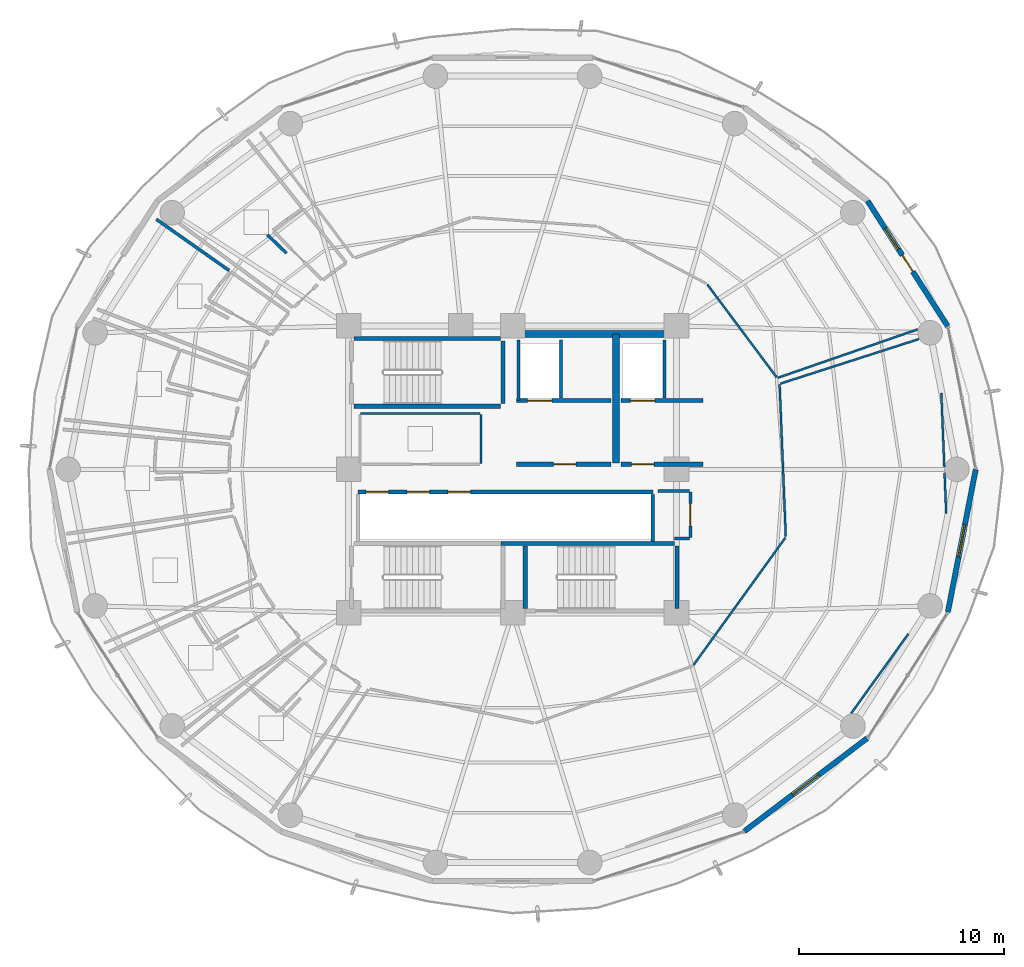
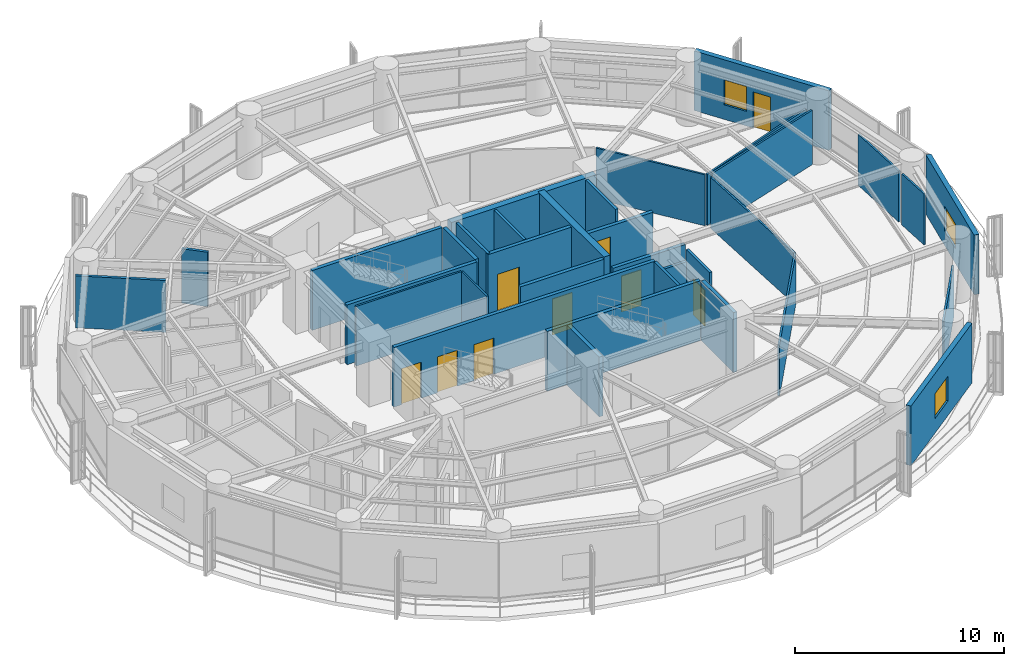
# One storey, part 23 of 27: 35 walls, 9 doors, 3 windows, 12 openings.
"""IFC4 building model written with IfcOpenShell, lengths in metres."""

from ifc_helpers import new_model, si_unit, direction, frame, frame_2d, origin, place, context, subcontext, project, spatial, rectangle, extrude, material, layer, layer_set, type_object, element, fill, save


model = new_model("IFC4")

# Units and contexts
model_context = context("Model", 3, precision=1e-05, world=origin(), true_north=direction((0.0, 1.0)))
body_context = subcontext(model_context, "Body", "Model", "MODEL_VIEW")
ifc_project = project(units=[si_unit("LENGTHUNIT", "METRE"), si_unit("AREAUNIT", "SQUARE_METRE"), si_unit("VOLUMEUNIT", "CUBIC_METRE"), si_unit("PLANEANGLEUNIT", "RADIAN"), si_unit("MASSUNIT", "GRAM", prefix="KILO")], contexts=[model_context])

# Site, building, storey
site_placement = place(None, origin())
site = spatial("IfcSite", under=ifc_project, at=site_placement, CompositionType="ELEMENT")
building_placement = place(site_placement, origin())
building = spatial("IfcBuilding", under=site, at=building_placement, Name="Kelanora Arch Commons", CompositionType="ELEMENT")
storey_placement = place(building_placement, frame((0.0, 0.0, 173.10009765625)))
storey = spatial("IfcBuildingStorey", under=building, at=storey_placement, Name="L44", CompositionType="ELEMENT", Elevation=173.10009765625)

# Walls
ifc_material_1 = material(Name="Autoclaved aerated concrete blockwork with fire plaster", Category="masonry")
ifc_layer_1 = layer(ifc_material_1, 0.14990234375)
ifc_layer_set_1 = layer_set([ifc_layer_1], Name="Autoclaved aerated concrete blockwork with fire plaster")
wall_type_1 = type_object("IfcWallType", Name="W-COMP-150", PredefinedType="PARTITIONING", material=ifc_layer_set_1)
wall_1_placement = place(storey_placement, frame((74.280029296875, 61.35009765625, 0.0), z_axis=(0.0, 0.0, 1.0), x_axis=(0.0, 1.0, 0.0)))
element("IfcWall", 1, at=wall_1_placement, inside=storey, type_object=wall_type_1, Name="Firefighting Lift 1 West Shaft Wall L44", PredefinedType="PARTITIONING", context=body_context, shape_type="SweptSolid", body=[
    extrude(rectangle(XDim=2.969970703125, YDim=0.14990234375, at=frame_2d((1.48486328125, 0.0))), origin(), (0.0, 0.0, 1.0), 3.47998046875),
])
for number, where, z_axis, x_axis, name in (
    (2, (76.360107421875, 61.47998046875, 0.0), (0.0, 0.0, 1.0), (0.0, 1.0, 0.0), "Firefighting Lift 1 East Shaft Wall L44"),
    (3, (81.419921875, 61.47998046875, 0.0), (0.0, 0.0, 1.0), (0.0, 1.0, 0.0), "Firefighting Lift 2 East Shaft Wall L44"),
):
    element("IfcWall", number, at=place(storey_placement, frame(where, z_axis=z_axis, x_axis=x_axis)), inside=storey, type_object=wall_type_1, Name=name, PredefinedType="PARTITIONING", context=body_context, shape_type="SweptSolid", body=[
        extrude(rectangle(XDim=2.840087890625, YDim=0.14990234375, at=frame_2d((1.419921875, 0.0))), origin(), (0.0, 0.0, 1.0), 3.47998046875),
    ])
wall_2_placement = place(storey_placement, frame((80.840087890625, 54.47998046875, 0.0), z_axis=(0.0, 0.0, 1.0), x_axis=(0.0, 1.0, 0.0)))
element("IfcWall", 4, at=wall_2_placement, inside=storey, type_object=wall_type_1, Name="South Lift Bank East Wall L44", PredefinedType="PARTITIONING", context=body_context, shape_type="SweptSolid", body=[
    extrude(rectangle(XDim=2.2900390625, YDim=0.14990234375, at=frame_2d((1.14501953125, 0.0))), origin(), (0.0, 0.0, 1.0), 3.47998046875),
])

# Wall, opening, door
wall_3_placement = place(storey_placement, frame((82.679931640625, 54.679931640625, 0.0), z_axis=(0.0, 0.0, 1.0), x_axis=(0.0, 1.0, 0.0)))
wall_3 = element("IfcWall", 5, at=wall_3_placement, inside=storey, type_object=wall_type_1, Name="Core Housekeeping Store L44 Entry Partition", PredefinedType="PARTITIONING", context=body_context, shape_type="SweptSolid", body=[
    extrude(rectangle(XDim=2.2099609375, YDim=0.14990234375, at=frame_2d((1.10498046875, 0.0))), origin(), (0.0, 0.0, 1.0), 3.47998046875),
])
opening_1_placement = place(wall_3_placement, frame((0.56494140625, 0.0, 0.0)))
opening_1 = element("IfcOpeningElement", 6, at=opening_1_placement, cuts=wall_3, Name="Opening D-PLT1", PredefinedType="OPENING", context=body_context, shape_type="SweptSolid", body=[
    extrude(rectangle(XDim=1.080078125, YDim=2.10009765625, at=frame_2d((0.5400390625, 1.050048828125))), frame((0.0, 0.0849609375, 0.0), z_axis=(0.0, -1.0, 0.0), x_axis=(1.0, 0.0, 0.0)), (0.0, 0.0, 1.0), 0.169921875),
])
ifc_material_2 = material(Name="Galvanised steel plant and riser fire door", Category="steel")
door_type_1 = type_object("IfcDoorType", Name="D-PLT-110", OperationType="NOTDEFINED", PredefinedType="DOOR", material=ifc_material_2)
door_1_placement = place(opening_1_placement, origin())
door_1 = element("IfcDoor", 7, at=door_1_placement, inside=storey, type_object=door_type_1, Name="Core Housekeeping Store L44 Door", OperationType="SINGLE_SWING_RIGHT", OverallHeight=2.10009765625, OverallWidth=1.080078125, PredefinedType="DOOR", context=body_context, shape_type="SweptSolid", body=[
    extrude(rectangle(XDim=1.080078125, YDim=2.10009765625, at=frame_2d((0.5400390625, 1.050048828125))), frame((0.0, 0.02490234375, 0.0), z_axis=(0.0, -1.0, 0.0), x_axis=(1.0, 0.0, 0.0)), (0.0, 0.0, 1.0), 0.050048828125),
])
fill(opening_1, door_1)

# Walls
wall_4_placement = place(storey_placement, frame((81.89990234375, 54.6201171875, 0.0), z_axis=(0.0, 0.0, 1.0), x_axis=(1.0, 0.0, 0.0)))
element("IfcWall", 8, at=wall_4_placement, inside=storey, type_object=wall_type_1, Name="Core Housekeeping Store L44 Enclosure Partition 1", PredefinedType="PARTITIONING", context=body_context, shape_type="SweptSolid", body=[
    extrude(rectangle(XDim=0.739990234375, YDim=0.14990234375, at=frame_2d((0.3701171875, 0.0))), origin(), (0.0, 0.0, 1.0), 2.77490234375),
])
wall_5_placement = place(storey_placement, frame((82.639892578125, 56.949951171875, 0.0), z_axis=(0.0, 0.0, 1.0), x_axis=(-1.0, 0.0, 0.0)))
element("IfcWall", 9, at=wall_5_placement, inside=storey, type_object=wall_type_1, Name="Core Housekeeping Store L44 Enclosure Partition 3", PredefinedType="PARTITIONING", context=body_context, shape_type="SweptSolid", body=[
    extrude(rectangle(XDim=1.5498046875, YDim=0.14990234375, at=frame_2d((0.77490234375, 0.0))), origin(), (0.0, 0.0, 1.0), 2.77490234375),
])
wall_6_placement = place(storey_placement, frame((62.038818359375, 69.44140625, 0.0), z_axis=(0.0, 0.0, 1.0), x_axis=(0.721428898705, -0.692488515511, 0.0)))
element("IfcWall", 10, at=wall_6_placement, inside=storey, type_object=wall_type_1, Name="Cluster Bedroom L44-01 Enclosure Partition 7", PredefinedType="PARTITIONING", context=body_context, shape_type="SweptSolid", body=[
    extrude(rectangle(XDim=1.290771484375, YDim=0.14990234375, at=frame_2d((0.6455078125, 0.0))), origin(), (0.0, 0.0, 1.0), 3.1748046875),
])
wall_7_placement = place(storey_placement, frame((56.61962890625, 70.200927734375, 0.0), z_axis=(0.0, 0.0, 1.0), x_axis=(0.817617957458, -0.575761127241, 0.0)))
element("IfcWall", 11, at=wall_7_placement, inside=storey, type_object=wall_type_1, Name="Cluster Bedroom L44-02 Enclosure Partition 5", PredefinedType="PARTITIONING", context=body_context, shape_type="SweptSolid", body=[
    extrude(rectangle(XDim=4.336669921875, YDim=0.14990234375, at=frame_2d((2.16845703125, 0.0))), origin(), (0.0, 0.0, 1.0), 3.02490234375),
])
ifc_material_3 = material(Name="Concrete C50/60", Category="concrete")
ifc_layer_2 = layer(ifc_material_3, 0.35009765625)
ifc_layer_set_2 = layer_set([ifc_layer_2], Name="Concrete C50/60")
wall_type_2 = type_object("IfcWallType", Name="W-CORE-350", PredefinedType="SHEAR", material=ifc_layer_set_2)
wall_8_placement = place(storey_placement, frame((74.0, 64.60009765625, 0.0), z_axis=(0.0, 0.0, 1.0), x_axis=(1.0, 0.0, 0.0)))
element("IfcWall", 12, at=wall_8_placement, inside=storey, type_object=wall_type_2, Name="Core Shear Spine L44-CN-E", PredefinedType="SHEAR", context=body_context, shape_type="SweptSolid", body=[
    extrude(rectangle(XDim=8.0, YDim=0.35009765625, at=frame_2d((4.0, 0.0))), origin(), (0.0, 0.0, 1.0), 3.489990234375),
])
wall_9_placement = place(storey_placement, frame((79.050048828125, 58.300048828125, 0.0), z_axis=(0.0, 0.0, 1.0), x_axis=(0.0, 1.0, 0.0)))
element("IfcWall", 13, at=wall_9_placement, inside=storey, type_object=wall_type_2, Name="Core Shear Spine L44-CE-N", PredefinedType="SHEAR", context=body_context, shape_type="SweptSolid", body=[
    extrude(rectangle(XDim=6.300048828125, YDim=0.35009765625, at=frame_2d((3.14990234375, 0.0))), origin(), (0.0, 0.0, 1.0), 3.489990234375),
])

# Wall, openings, door, window
ifc_material_4 = material(Name="Precast concrete C40/50 with terracotta rainscreen", Category="masonry")
ifc_layer_3 = layer(ifc_material_4, 0.260009765625)
ifc_layer_set_3 = layer_set([ifc_layer_3], Name="Precast concrete C40/50 with terracotta rainscreen")
wall_type_3 = type_object("IfcWallType", Name="W-EXT-TC", PredefinedType="SOLIDWALL", material=ifc_layer_set_3)
wall_10_placement = place(storey_placement, frame((95.22900390625, 64.98974609375, 0.0), z_axis=(0.0, 0.0, 1.0), x_axis=(-0.538801521808, 0.842432739213, 0.0)))
wall_10 = element("IfcWall", 14, at=wall_10_placement, inside=storey, type_object=wall_type_3, Name="Terracotta Exterior Wall L44-B01", PredefinedType="SOLIDWALL", context=body_context, shape_type="SweptSolid", body=[
    extrude(rectangle(XDim=7.25341796875, YDim=0.260009765625, at=frame_2d((3.626708984375, 0.0))), origin(), (0.0, 0.0, 1.0), 3.474853515625),
])
opening_2_placement = place(wall_10_placement, frame((3.152099609375, 0.0, 0.0)))
opening_2 = element("IfcOpeningElement", 15, at=opening_2_placement, cuts=wall_10, Name="Opening DB-01", PredefinedType="OPENING", context=body_context, shape_type="SweptSolid", body=[
    extrude(rectangle(XDim=0.949951171875, YDim=2.10009765625, at=frame_2d((0.47509765625, 1.050048828125))), frame((0.0, 0.14013671875, 0.0), z_axis=(0.0, -1.0, 0.0), x_axis=(1.0, 0.0, 0.0)), (0.0, 0.0, 1.0), 0.280029296875),
])
opening_3_placement = place(wall_10_placement, frame((4.451904296875, 0.0, 0.85009765625)))
opening_3 = element("IfcOpeningElement", 16, at=opening_3_placement, cuts=wall_10, Name="Opening WN-02", PredefinedType="OPENING", context=body_context, shape_type="SweptSolid", body=[
    extrude(rectangle(XDim=1.199951171875, YDim=1.449951171875, at=frame_2d((0.60009765625, 0.72509765625))), frame((0.0, 0.14013671875, 0.0), z_axis=(0.0, -1.0, 0.0), x_axis=(1.0, 0.0, 0.0)), (0.0, 0.0, 1.0), 0.280029296875),
])
ifc_material_5 = material(Name="Terracotta-aluminium thermally broken glazed balcony door", Category="masonry")
door_type_2 = type_object("IfcDoorType", Name="D-BAL-10", OperationType="NOTDEFINED", PredefinedType="DOOR", material=ifc_material_5)
door_2_placement = place(opening_2_placement, frame((0.949951171875, 0.0, 0.0), z_axis=(0.0, 0.0, 1.0), x_axis=(-1.0, 0.0, 0.0)))
door_2 = element("IfcDoor", 17, at=door_2_placement, inside=storey, type_object=door_type_2, Name="Wave Balcony Door L44-B01", OperationType="SINGLE_SWING_RIGHT", OverallHeight=2.10009765625, OverallWidth=0.949951171875, PredefinedType="DOOR", context=body_context, shape_type="SweptSolid", body=[
    extrude(rectangle(XDim=0.949951171875, YDim=2.10009765625, at=frame_2d((0.47509765625, 1.050048828125))), frame((0.0, 0.02490234375, 0.0), z_axis=(0.0, -1.0, 0.0), x_axis=(1.0, 0.0, 0.0)), (0.0, 0.0, 1.0), 0.050048828125),
])
fill(opening_2, door_2)
ifc_material_6 = material(Name="Terracotta-anodised aluminium frame with operable awning sash", Category="masonry")
window_type_1 = type_object("IfcWindowType", Name="WIN-CL-12", PartitioningType="SINGLE_PANEL", PredefinedType="WINDOW", material=ifc_material_6)
window_1_placement = place(opening_3_placement, origin())
window_1 = element("IfcWindow", 18, at=window_1_placement, inside=storey, type_object=window_type_1, Name="Co-Living Operable Window L44-B01", OverallHeight=1.449951171875, OverallWidth=1.199951171875, PartitioningType="SINGLE_PANEL", PredefinedType="WINDOW", context=body_context, shape_type="SweptSolid", body=[
    extrude(rectangle(XDim=1.199951171875, YDim=1.449951171875, at=frame_2d((0.60009765625, 0.72509765625))), frame((0.0, 0.030029296875, 0.0), z_axis=(0.0, -1.0, 0.0), x_axis=(1.0, 0.0, 0.0)), (0.0, 0.0, 1.0), 0.06005859375),
])
fill(opening_3, window_1)

# Wall, opening, window
wall_11_placement = place(storey_placement, frame((85.31201171875, 40.34228515625, 0.0), z_axis=(0.0, 0.0, 1.0), x_axis=(0.797163719609, 0.603763202042, 0.0)))
wall_11 = element("IfcWall", 19, at=wall_11_placement, inside=storey, type_object=wall_type_3, Name="Terracotta Exterior Wall L44-B15", PredefinedType="SOLIDWALL", context=body_context, shape_type="SweptSolid", body=[
    extrude(rectangle(XDim=7.51220703125, YDim=0.260009765625, at=frame_2d((3.756103515625, 0.0))), origin(), (0.0, 0.0, 1.0), 3.474853515625),
])
opening_4_placement = place(wall_11_placement, frame((2.9560546875, 0.0, 0.85009765625)))
opening_4 = element("IfcOpeningElement", 20, at=opening_4_placement, cuts=wall_11, Name="Opening WN-01", PredefinedType="OPENING", context=body_context, shape_type="SweptSolid", body=[
    extrude(rectangle(XDim=1.60009765625, YDim=1.449951171875, at=frame_2d((0.800048828125, 0.72509765625))), frame((0.0, 0.14013671875, 0.0), z_axis=(0.0, -1.0, 0.0), x_axis=(1.0, 0.0, 0.0)), (0.0, 0.0, 1.0), 0.280029296875),
])
ifc_material_7 = material(Name="Terracotta-anodised aluminium frame with operable low-E glazing", Category="masonry")
window_type_2 = type_object("IfcWindowType", Name="WIN-CL-18", PartitioningType="DOUBLE_PANEL_VERTICAL", PredefinedType="WINDOW", material=ifc_material_7)
window_2_placement = place(opening_4_placement, origin())
window_2 = element("IfcWindow", 21, at=window_2_placement, inside=storey, type_object=window_type_2, Name="Co-Living Operable Window L44-B15", OverallHeight=1.449951171875, OverallWidth=1.60009765625, PartitioningType="SINGLE_PANEL", PredefinedType="WINDOW", context=body_context, shape_type="SweptSolid", body=[
    extrude(rectangle(XDim=1.60009765625, YDim=1.449951171875, at=frame_2d((0.800048828125, 0.72509765625))), frame((0.0, 0.030029296875, 0.0), z_axis=(0.0, -1.0, 0.0), x_axis=(1.0, 0.0, 0.0)), (0.0, 0.0, 1.0), 0.06005859375),
])
fill(opening_4, window_2)

wall_12_placement = place(storey_placement, frame((95.239990234375, 51.03759765625, 0.0), z_axis=(0.0, 0.0, 1.0), x_axis=(0.191716984769, 0.981450252306, 0.0)))
wall_12 = element("IfcWall", 22, at=wall_12_placement, inside=storey, type_object=wall_type_3, Name="Terracotta Exterior Wall L44-B17", PredefinedType="SOLIDWALL", context=body_context, shape_type="SweptSolid", body=[
    extrude(rectangle(XDim=7.0791015625, YDim=0.260009765625, at=frame_2d((3.53955078125, 0.0))), origin(), (0.0, 0.0, 1.0), 3.474853515625),
])
opening_5_placement = place(wall_12_placement, frame((2.739990234375, 0.0, 0.85009765625)))
opening_5 = element("IfcOpeningElement", 23, at=opening_5_placement, cuts=wall_12, Name="Opening WN-01", PredefinedType="OPENING", context=body_context, shape_type="SweptSolid", body=[
    extrude(rectangle(XDim=1.60009765625, YDim=1.449951171875, at=frame_2d((0.800048828125, 0.72509765625))), frame((0.0, 0.14013671875, 0.0), z_axis=(0.0, -1.0, 0.0), x_axis=(1.0, 0.0, 0.0)), (0.0, 0.0, 1.0), 0.280029296875),
])
window_3_placement = place(opening_5_placement, origin())
window_3 = element("IfcWindow", 24, at=window_3_placement, inside=storey, type_object=window_type_2, Name="Co-Living Operable Window L44-B17", OverallHeight=1.449951171875, OverallWidth=1.60009765625, PartitioningType="SINGLE_PANEL", PredefinedType="WINDOW", context=body_context, shape_type="SweptSolid", body=[
    extrude(rectangle(XDim=1.60009765625, YDim=1.449951171875, at=frame_2d((0.800048828125, 0.72509765625))), frame((0.0, 0.030029296875, 0.0), z_axis=(0.0, -1.0, 0.0), x_axis=(1.0, 0.0, 0.0)), (0.0, 0.0, 1.0), 0.06005859375),
])
fill(opening_5, window_3)

# Wall, opening, door
ifc_material_8 = material(Name="Concrete C40/50", Category="concrete")
ifc_layer_4 = layer(ifc_material_8, 0.199951171875)
ifc_layer_set_4 = layer_set([ifc_layer_4], Name="Concrete C40/50")
wall_type_4 = type_object("IfcWallType", Name="W-FFL-200", PredefinedType="SOLIDWALL", material=ifc_layer_set_4)
wall_13_placement = place(storey_placement, frame((74.199951171875, 61.35009765625, 0.0), z_axis=(0.0, 0.0, 1.0), x_axis=(1.0, 0.0, 0.0)))
wall_13 = element("IfcWall", 25, at=wall_13_placement, inside=storey, type_object=wall_type_4, Name="Firefighting Lift 1 Shaft Front L44", PredefinedType="SOLIDWALL", context=body_context, shape_type="SweptSolid", body=[
    extrude(rectangle(XDim=4.60009765625, YDim=0.199951171875, at=frame_2d((2.300048828125, 0.0))), origin(), (0.0, 0.0, 1.0), 3.47998046875),
])
opening_6_placement = place(wall_13_placement, frame((0.52001953125, 0.0, 0.0)))
opening_6 = element("IfcOpeningElement", 26, at=opening_6_placement, cuts=wall_13, Name="Opening LD-FF", PredefinedType="OPENING", context=body_context, shape_type="SweptSolid", body=[
    extrude(rectangle(XDim=1.199951171875, YDim=2.14990234375, at=frame_2d((0.60009765625, 1.074951171875))), frame((0.0, 0.10986328125, 0.0), z_axis=(0.0, -1.0, 0.0), x_axis=(1.0, 0.0, 0.0)), (0.0, 0.0, 1.0), 0.219970703125),
])
ifc_material_9 = material(Name="Fire-rated firefighters lift sliding landing door")
door_type_3 = type_object("IfcDoorType", Name="D-LIFT-FF", OperationType="NOTDEFINED", PredefinedType="DOOR", material=ifc_material_9)
door_3_placement = place(opening_6_placement, origin())
door_3 = element("IfcDoor", 27, at=door_3_placement, inside=storey, type_object=door_type_3, Name="Firefighting Lift LF-FF1 Landing Door L44", OperationType="DOUBLE_DOOR_SLIDING", OverallHeight=2.14990234375, OverallWidth=1.199951171875, PredefinedType="DOOR", context=body_context, shape_type="SweptSolid", body=[
    extrude(rectangle(XDim=1.199951171875, YDim=2.14990234375, at=frame_2d((0.60009765625, 1.074951171875))), frame((0.0, 0.02490234375, 0.0), z_axis=(0.0, -1.0, 0.0), x_axis=(1.0, 0.0, 0.0)), (0.0, 0.0, 1.0), 0.050048828125),
])
fill(opening_6, door_3)

wall_14_placement = place(storey_placement, frame((79.300048828125, 61.35009765625, 0.0), z_axis=(0.0, 0.0, 1.0), x_axis=(1.0, 0.0, 0.0)))
wall_14 = element("IfcWall", 28, at=wall_14_placement, inside=storey, type_object=wall_type_4, Name="Firefighting Lift 2 Shaft Front L44", PredefinedType="SOLIDWALL", context=body_context, shape_type="SweptSolid", body=[
    extrude(rectangle(XDim=4.0, YDim=0.199951171875, at=frame_2d((2.0, 0.0))), origin(), (0.0, 0.0, 1.0), 2.77490234375),
])
opening_7_placement = place(wall_14_placement, frame((0.449951171875, 0.0, 0.0)))
opening_7 = element("IfcOpeningElement", 29, at=opening_7_placement, cuts=wall_14, Name="Opening LD-FF", PredefinedType="OPENING", context=body_context, shape_type="SweptSolid", body=[
    extrude(rectangle(XDim=1.199951171875, YDim=2.14990234375, at=frame_2d((0.60009765625, 1.074951171875))), frame((0.0, 0.10986328125, 0.0), z_axis=(0.0, -1.0, 0.0), x_axis=(1.0, 0.0, 0.0)), (0.0, 0.0, 1.0), 0.219970703125),
])
door_4_placement = place(opening_7_placement, origin())
door_4 = element("IfcDoor", 30, at=door_4_placement, inside=storey, type_object=door_type_3, Name="Firefighting Lift LF-FF2 Landing Door L44", OperationType="DOUBLE_DOOR_SLIDING", OverallHeight=2.14990234375, OverallWidth=1.199951171875, PredefinedType="DOOR", context=body_context, shape_type="SweptSolid", body=[
    extrude(rectangle(XDim=1.199951171875, YDim=2.14990234375, at=frame_2d((0.60009765625, 1.074951171875))), frame((0.0, 0.02490234375, 0.0), z_axis=(0.0, -1.0, 0.0), x_axis=(1.0, 0.0, 0.0)), (0.0, 0.0, 1.0), 0.050048828125),
])
fill(opening_7, door_4)

wall_15_placement = place(storey_placement, frame((74.199951171875, 58.25, 0.0), z_axis=(0.0, 0.0, 1.0), x_axis=(1.0, 0.0, 0.0)))
wall_15 = element("IfcWall", 31, at=wall_15_placement, inside=storey, type_object=wall_type_4, Name="Firefighting Lobby 1 Enclosure Wall L44", PredefinedType="SOLIDWALL", context=body_context, shape_type="SweptSolid", body=[
    extrude(rectangle(XDim=4.60009765625, YDim=0.199951171875, at=frame_2d((2.300048828125, 0.0))), origin(), (0.0, 0.0, 1.0), 3.47998046875),
])
opening_8_placement = place(wall_15_placement, frame((1.800048828125, 0.0, 0.0)))
opening_8 = element("IfcOpeningElement", 32, at=opening_8_placement, cuts=wall_15, Name="Opening D-FFL1", PredefinedType="OPENING", context=body_context, shape_type="SweptSolid", body=[
    extrude(rectangle(XDim=1.10009765625, YDim=2.10009765625, at=frame_2d((0.550048828125, 1.050048828125))), frame((0.0, 0.10986328125, 0.0), z_axis=(0.0, -1.0, 0.0), x_axis=(1.0, 0.0, 0.0)), (0.0, 0.0, 1.0), 0.219970703125),
])
ifc_material_10 = material(Name="Smoke-sealed firefighting lobby fire door")
door_type_4 = type_object("IfcDoorType", Name="D-FFL-110", OperationType="NOTDEFINED", PredefinedType="DOOR", material=ifc_material_10)
door_5_placement = place(opening_8_placement, frame((1.10009765625, 0.0, 0.0), z_axis=(0.0, 0.0, 1.0), x_axis=(-1.0, 0.0, 0.0)))
door_5 = element("IfcDoor", 33, at=door_5_placement, inside=storey, type_object=door_type_4, Name="Firefighting Lobby 1 Door L44", OperationType="SINGLE_SWING_LEFT", OverallHeight=2.10009765625, OverallWidth=1.10009765625, PredefinedType="DOOR", context=body_context, shape_type="SweptSolid", body=[
    extrude(rectangle(XDim=1.10009765625, YDim=2.10009765625, at=frame_2d((0.550048828125, 1.050048828125))), frame((0.0, 0.02490234375, 0.0), z_axis=(0.0, -1.0, 0.0), x_axis=(1.0, 0.0, 0.0)), (0.0, 0.0, 1.0), 0.050048828125),
])
fill(opening_8, door_5)

wall_16_placement = place(storey_placement, frame((79.300048828125, 58.25, 0.0), z_axis=(0.0, 0.0, 1.0), x_axis=(1.0, 0.0, 0.0)))
wall_16 = element("IfcWall", 34, at=wall_16_placement, inside=storey, type_object=wall_type_4, Name="Firefighting Lobby 2 Enclosure Wall L44", PredefinedType="SOLIDWALL", context=body_context, shape_type="SweptSolid", body=[
    extrude(rectangle(XDim=4.0, YDim=0.199951171875, at=frame_2d((2.0, 0.0))), origin(), (0.0, 0.0, 1.0), 2.77490234375),
])
opening_9_placement = place(wall_16_placement, frame((0.5, 0.0, 0.0)))
opening_9 = element("IfcOpeningElement", 35, at=opening_9_placement, cuts=wall_16, Name="Opening D-FFL1", PredefinedType="OPENING", context=body_context, shape_type="SweptSolid", body=[
    extrude(rectangle(XDim=1.10009765625, YDim=2.10009765625, at=frame_2d((0.550048828125, 1.050048828125))), frame((0.0, 0.10986328125, 0.0), z_axis=(0.0, -1.0, 0.0), x_axis=(1.0, 0.0, 0.0)), (0.0, 0.0, 1.0), 0.219970703125),
])
door_6_placement = place(opening_9_placement, frame((1.10009765625, 0.0, 0.0), z_axis=(0.0, 0.0, 1.0), x_axis=(-1.0, 0.0, 0.0)))
door_6 = element("IfcDoor", 36, at=door_6_placement, inside=storey, type_object=door_type_4, Name="Firefighting Lobby 2 Door L44", OperationType="SINGLE_SWING_RIGHT", OverallHeight=2.10009765625, OverallWidth=1.10009765625, PredefinedType="DOOR", context=body_context, shape_type="SweptSolid", body=[
    extrude(rectangle(XDim=1.10009765625, YDim=2.10009765625, at=frame_2d((0.550048828125, 1.050048828125))), frame((0.0, 0.02490234375, 0.0), z_axis=(0.0, -1.0, 0.0), x_axis=(1.0, 0.0, 0.0)), (0.0, 0.0, 1.0), 0.050048828125),
])
fill(opening_9, door_6)

# Wall, openings, doors
wall_17_placement = place(storey_placement, frame((66.449951171875, 56.89990234375, 0.0), z_axis=(0.0, 0.0, 1.0), x_axis=(1.0, 0.0, 0.0)))
wall_17 = element("IfcWall", 37, at=wall_17_placement, inside=storey, type_object=wall_type_4, Name="Mid/High/Express Lift Shaft Front L44", PredefinedType="SOLIDWALL", context=body_context, shape_type="SweptSolid", body=[
    extrude(rectangle(XDim=14.400146484375, YDim=0.199951171875, at=frame_2d((7.2001953125, 0.0))), origin(), (0.0, 0.0, 1.0), 3.47998046875),
])
opening_10_placement = place(wall_17_placement, frame((0.39990234375, 0.0, 0.0)))
opening_10 = element("IfcOpeningElement", 38, at=opening_10_placement, cuts=wall_17, Name="Opening LD-01", PredefinedType="OPENING", context=body_context, shape_type="SweptSolid", body=[
    extrude(rectangle(XDim=1.10009765625, YDim=2.10009765625, at=frame_2d((0.550048828125, 1.050048828125))), frame((0.0, 0.10986328125, 0.0), z_axis=(0.0, -1.0, 0.0), x_axis=(1.0, 0.0, 0.0)), (0.0, 0.0, 1.0), 0.219970703125),
])
opening_11_placement = place(wall_17_placement, frame((2.39990234375, 0.0, 0.0)))
opening_11 = element("IfcOpeningElement", 39, at=opening_11_placement, cuts=wall_17, Name="Opening LD-01", PredefinedType="OPENING", context=body_context, shape_type="SweptSolid", body=[
    extrude(rectangle(XDim=1.10009765625, YDim=2.10009765625, at=frame_2d((0.550048828125, 1.050048828125))), frame((0.0, 0.10986328125, 0.0), z_axis=(0.0, -1.0, 0.0), x_axis=(1.0, 0.0, 0.0)), (0.0, 0.0, 1.0), 0.219970703125),
])
opening_12_placement = place(wall_17_placement, frame((4.39990234375, 0.0, 0.0)))
opening_12 = element("IfcOpeningElement", 40, at=opening_12_placement, cuts=wall_17, Name="Opening LD-01", PredefinedType="OPENING", context=body_context, shape_type="SweptSolid", body=[
    extrude(rectangle(XDim=1.10009765625, YDim=2.10009765625, at=frame_2d((0.550048828125, 1.050048828125))), frame((0.0, 0.10986328125, 0.0), z_axis=(0.0, -1.0, 0.0), x_axis=(1.0, 0.0, 0.0)), (0.0, 0.0, 1.0), 0.219970703125),
])
ifc_material_11 = material(Name="Stainless steel passenger lift sliding landing door", Category="steel")
door_type_5 = type_object("IfcDoorType", Name="D-LIFT-110", OperationType="NOTDEFINED", PredefinedType="DOOR", material=ifc_material_11)
door_7_placement = place(opening_10_placement, origin())
door_7 = element("IfcDoor", 41, at=door_7_placement, inside=storey, type_object=door_type_5, Name="Passenger Lift LF-P4 Landing Door L44", OperationType="DOUBLE_DOOR_SLIDING", OverallHeight=2.10009765625, OverallWidth=1.10009765625, PredefinedType="DOOR", context=body_context, shape_type="SweptSolid", body=[
    extrude(rectangle(XDim=1.10009765625, YDim=2.10009765625, at=frame_2d((0.550048828125, 1.050048828125))), frame((0.0, 0.02490234375, 0.0), z_axis=(0.0, -1.0, 0.0), x_axis=(1.0, 0.0, 0.0)), (0.0, 0.0, 1.0), 0.050048828125),
])
fill(opening_10, door_7)
door_8_placement = place(opening_11_placement, origin())
door_8 = element("IfcDoor", 42, at=door_8_placement, inside=storey, type_object=door_type_5, Name="Passenger Lift LF-P5 Landing Door L44", OperationType="DOUBLE_DOOR_SLIDING", OverallHeight=2.10009765625, OverallWidth=1.10009765625, PredefinedType="DOOR", context=body_context, shape_type="SweptSolid", body=[
    extrude(rectangle(XDim=1.10009765625, YDim=2.10009765625, at=frame_2d((0.550048828125, 1.050048828125))), frame((0.0, 0.02490234375, 0.0), z_axis=(0.0, -1.0, 0.0), x_axis=(1.0, 0.0, 0.0)), (0.0, 0.0, 1.0), 0.050048828125),
])
fill(opening_11, door_8)
door_9_placement = place(opening_12_placement, origin())
door_9 = element("IfcDoor", 43, at=door_9_placement, inside=storey, type_object=door_type_5, Name="Passenger Lift LF-P6 Landing Door L44", OperationType="DOUBLE_DOOR_SLIDING", OverallHeight=2.10009765625, OverallWidth=1.10009765625, PredefinedType="DOOR", context=body_context, shape_type="SweptSolid", body=[
    extrude(rectangle(XDim=1.10009765625, YDim=2.10009765625, at=frame_2d((0.550048828125, 1.050048828125))), frame((0.0, 0.02490234375, 0.0), z_axis=(0.0, -1.0, 0.0), x_axis=(1.0, 0.0, 0.0)), (0.0, 0.0, 1.0), 0.050048828125),
])
fill(opening_12, door_9)

# Walls
ifc_material_12 = material(Name="Lightweight fire-rated acoustic stud partition")
ifc_layer_5 = layer(ifc_material_12, 0.10009765625)
ifc_layer_set_5 = layer_set([ifc_layer_5], Name="Lightweight fire-rated acoustic stud partition")
wall_type_5 = type_object("IfcWallType", Name="W-PART-100", PredefinedType="PARTITIONING", material=ifc_layer_set_5)
wall_18_placement = place(storey_placement, frame((72.449951171875, 58.2900390625, 0.0), z_axis=(0.0, 0.0, 1.0), x_axis=(0.0, 1.0, 0.0)))
element("IfcWall", 44, at=wall_18_placement, inside=storey, type_object=wall_type_5, Name="Reclaimed Core Study Pod Lounge L44 Enclosure Partition 2", PredefinedType="PARTITIONING", context=body_context, shape_type="SweptSolid", body=[
    extrude(rectangle(XDim=2.389892578125, YDim=0.10009765625, at=frame_2d((1.19482421875, 0.0))), origin(), (0.0, 0.0, 1.0), 3.47998046875),
])
wall_19_placement = place(storey_placement, frame((72.409912109375, 60.719970703125, 0.0), z_axis=(0.0, 0.0, 1.0), x_axis=(-1.0, 0.0, 0.0)))
element("IfcWall", 45, at=wall_19_placement, inside=storey, type_object=wall_type_5, Name="Reclaimed Core Study Pod Lounge L44 Enclosure Partition 3", PredefinedType="PARTITIONING", context=body_context, shape_type="SweptSolid", body=[
    extrude(rectangle(XDim=5.81982421875, YDim=0.10009765625, at=frame_2d((2.909912109375, 0.0))), origin(), (0.0, 0.0, 1.0), 3.47998046875),
])
wall_20_placement = place(storey_placement, frame((82.829345703125, 48.448486328125, 0.0), z_axis=(0.0, 0.0, 1.0), x_axis=(0.584802550896, 0.811175675465, 0.0)))
element("IfcWall", 46, at=wall_20_placement, inside=storey, type_object=wall_type_5, Name="South-East Shared Study Commons L44 Enclosure Partition 3", PredefinedType="PARTITIONING", context=body_context, shape_type="SweptSolid", body=[
    extrude(rectangle(XDim=7.659423828125, YDim=0.10009765625, at=frame_2d((3.82958984375, 0.0))), origin(), (0.0, 0.0, 1.0), 2.974853515625),
])
wall_21_placement = place(storey_placement, frame((87.330322265625, 54.73388671875, 0.0), z_axis=(0.0, 0.0, 1.0), x_axis=(-0.040502816827, 0.999179424242, 0.0)))
element("IfcWall", 47, at=wall_21_placement, inside=storey, type_object=wall_type_5, Name="South-East Shared Study Commons L44 Enclosure Partition 4", PredefinedType="PARTITIONING", context=body_context, shape_type="SweptSolid", body=[
    extrude(rectangle(XDim=7.402099609375, YDim=0.10009765625, at=frame_2d((3.701171875, 0.0))), origin(), (0.0, 0.0, 1.0), 2.974853515625),
])
wall_22_placement = place(storey_placement, frame((87.067138671875, 62.18212890625, 0.0), z_axis=(0.0, 0.0, 1.0), x_axis=(0.951988492126, 0.306133812017, 0.0)))
element("IfcWall", 48, at=wall_22_placement, inside=storey, type_object=wall_type_5, Name="South-East Shared Study Commons L44 Enclosure Partition 5", PredefinedType="PARTITIONING", context=body_context, shape_type="SweptSolid", body=[
    extrude(rectangle(XDim=7.101806640625, YDim=0.10009765625, at=frame_2d((3.55078125, 0.0))), origin(), (0.0, 0.0, 1.0), 3.1748046875),
])
wall_23_placement = place(storey_placement, frame((94.919921875, 61.73486328125, 0.0), z_axis=(0.0, 0.0, 1.0), x_axis=(0.040396264776, -0.999183737754, 0.0)))
element("IfcWall", 49, at=wall_23_placement, inside=storey, type_object=wall_type_5, Name="South-East Shared Study Commons L44 Enclosure Partition 6", PredefinedType="PARTITIONING", context=body_context, shape_type="SweptSolid", body=[
    extrude(rectangle(XDim=3.6201171875, YDim=0.10009765625, at=frame_2d((1.81005859375, 0.0))), origin(), (0.0, 0.0, 1.0), 2.974853515625),
])
wall_24_placement = place(storey_placement, frame((95.07763671875, 57.8330078125, 0.0), z_axis=(0.0, 0.0, 1.0), x_axis=(0.040493982309, -0.99917978232, 0.0)))
element("IfcWall", 50, at=wall_24_placement, inside=storey, type_object=wall_type_5, Name="South-East Shared Study Commons L44 Enclosure Partition 6", PredefinedType="PARTITIONING", context=body_context, shape_type="SweptSolid", body=[
    extrude(rectangle(XDim=1.983642578125, YDim=0.10009765625, at=frame_2d((0.99169921875, 0.0))), origin(), (0.0, 0.0, 1.0), 2.974853515625),
])
wall_25_placement = place(storey_placement, frame((93.311279296875, 49.969482421875, 0.0), z_axis=(0.0, 0.0, 1.0), x_axis=(-0.584076822516, -0.811698383268, 0.0)))
element("IfcWall", 51, at=wall_25_placement, inside=storey, type_object=wall_type_5, Name="South-East Shared Study Commons L44 Enclosure Partition 7", PredefinedType="PARTITIONING", context=body_context, shape_type="SweptSolid", body=[
    extrude(rectangle(XDim=4.769775390625, YDim=0.10009765625, at=frame_2d((2.384765625, 0.0))), origin(), (0.0, 0.0, 1.0), 3.02490234375),
])
wall_26_placement = place(storey_placement, frame((86.88720703125, 62.487060546875, 0.0), z_axis=(0.0, 0.0, 1.0), x_axis=(-0.598418459338, 0.801183716462, 0.0)))
element("IfcWall", 52, at=wall_26_placement, inside=storey, type_object=wall_type_5, Name="North-East Shared Cluster Kitchen L44 Enclosure Partition 1", PredefinedType="PARTITIONING", context=body_context, shape_type="SweptSolid", body=[
    extrude(rectangle(XDim=5.66015625, YDim=0.10009765625, at=frame_2d((2.830078125, 0.0))), origin(), (0.0, 0.0, 1.0), 2.974853515625),
])
wall_27_placement = place(storey_placement, frame((93.77099609375, 64.832275390625, 0.0), z_axis=(0.0, 0.0, 1.0), x_axis=(-0.944870237137, -0.327445010608, 0.0)))
element("IfcWall", 53, at=wall_27_placement, inside=storey, type_object=wall_type_5, Name="North-East Shared Cluster Kitchen L44 Enclosure Partition 10", PredefinedType="PARTITIONING", context=body_context, shape_type="SweptSolid", body=[
    extrude(rectangle(XDim=7.22021484375, YDim=0.10009765625, at=frame_2d((3.610107421875, 0.0))), origin(), (0.0, 0.0, 1.0), 2.974853515625),
])
ifc_layer_6 = layer(ifc_material_8, 0.199951171875)
ifc_layer_set_6 = layer_set([ifc_layer_6], Name="Concrete C40/50")
wall_type_6 = type_object("IfcWallType", Name="W-STAIR-200", PredefinedType="SHEAR", material=ifc_layer_set_6)
wall_28_placement = place(storey_placement, frame((66.260009765625, 61.080078125, 0.0), z_axis=(0.0, 0.0, 1.0), x_axis=(1.0, 0.0, 0.0)))
element("IfcWall", 54, at=wall_28_placement, inside=storey, type_object=wall_type_6, Name="Stair ST-T1 Shaft Wall S L44", PredefinedType="SHEAR", context=body_context, shape_type="SweptSolid", body=[
    extrude(rectangle(XDim=7.159912109375, YDim=0.199951171875, at=frame_2d((3.580078125, 0.0))), origin(), (0.0, 0.0, 1.0), 3.489990234375),
])
wall_29_placement = place(storey_placement, frame((73.5400390625, 61.199951171875, 0.0), z_axis=(0.0, 0.0, 1.0), x_axis=(0.0, 1.0, 0.0)))
element("IfcWall", 55, at=wall_29_placement, inside=storey, type_object=wall_type_6, Name="Stair ST-T1 Shaft Wall E L44", PredefinedType="SHEAR", context=body_context, shape_type="SweptSolid", body=[
    extrude(rectangle(XDim=3.070068359375, YDim=0.199951171875, at=frame_2d((1.53515625, 0.0))), origin(), (0.0, 0.0, 1.0), 3.489990234375),
])
wall_30_placement = place(storey_placement, frame((73.419921875, 64.389892578125, 0.0), z_axis=(0.0, 0.0, 1.0), x_axis=(-1.0, 0.0, 0.0)))
element("IfcWall", 56, at=wall_30_placement, inside=storey, type_object=wall_type_6, Name="Stair ST-T1 Shaft Wall N L44", PredefinedType="SHEAR", context=body_context, shape_type="SweptSolid", body=[
    extrude(rectangle(XDim=7.159912109375, YDim=0.199951171875, at=frame_2d((3.580078125, 0.0))), origin(), (0.0, 0.0, 1.0), 3.489990234375),
])
wall_31_placement = place(storey_placement, frame((82.02001953125, 51.199951171875, 0.0), z_axis=(0.0, 0.0, 1.0), x_axis=(0.0, 1.0, 0.0)))
element("IfcWall", 57, at=wall_31_placement, inside=storey, type_object=wall_type_6, Name="Stair ST-T2 Shaft Wall E L44", PredefinedType="SHEAR", context=body_context, shape_type="SweptSolid", body=[
    extrude(rectangle(XDim=3.070068359375, YDim=0.199951171875, at=frame_2d((1.53515625, 0.0))), origin(), (0.0, 0.0, 1.0), 3.489990234375),
])
wall_32_placement = place(storey_placement, frame((81.89990234375, 54.389892578125, 0.0), z_axis=(0.0, 0.0, 1.0), x_axis=(-1.0, 0.0, 0.0)))
element("IfcWall", 58, at=wall_32_placement, inside=storey, type_object=wall_type_6, Name="Stair ST-T2 Shaft Wall N L44", PredefinedType="SHEAR", context=body_context, shape_type="SweptSolid", body=[
    extrude(rectangle(XDim=8.4599609375, YDim=0.199951171875, at=frame_2d((4.22998046875, 0.0))), origin(), (0.0, 0.0, 1.0), 3.489990234375),
])
wall_33_placement = place(storey_placement, frame((74.6201171875, 54.27001953125, 0.0), z_axis=(0.0, 0.0, 1.0), x_axis=(0.0, -1.0, 0.0)))
element("IfcWall", 59, at=wall_33_placement, inside=storey, type_object=wall_type_6, Name="Stair ST-T2 Shaft Wall W L44", PredefinedType="SHEAR", context=body_context, shape_type="SweptSolid", body=[
    extrude(rectangle(XDim=3.070068359375, YDim=0.199951171875, at=frame_2d((1.53515625, 0.0))), origin(), (0.0, 0.0, 1.0), 3.489990234375),
])

save(model, "model.ifc")
